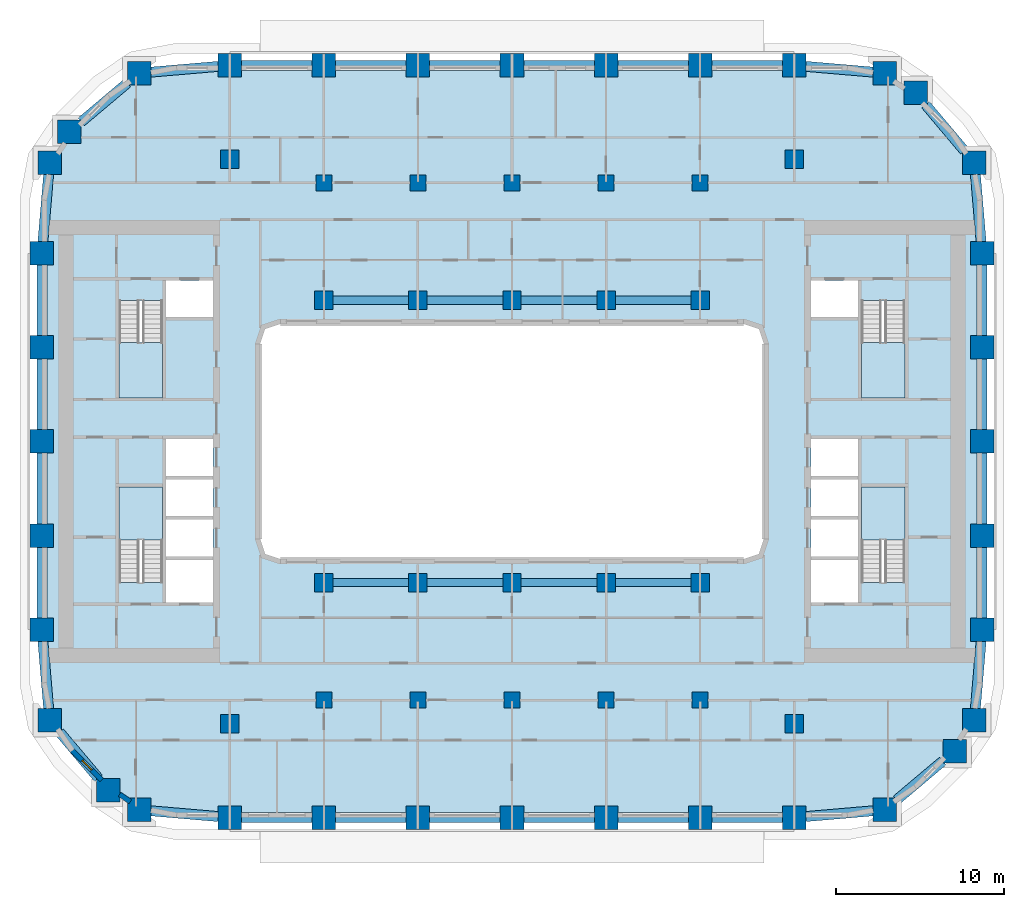
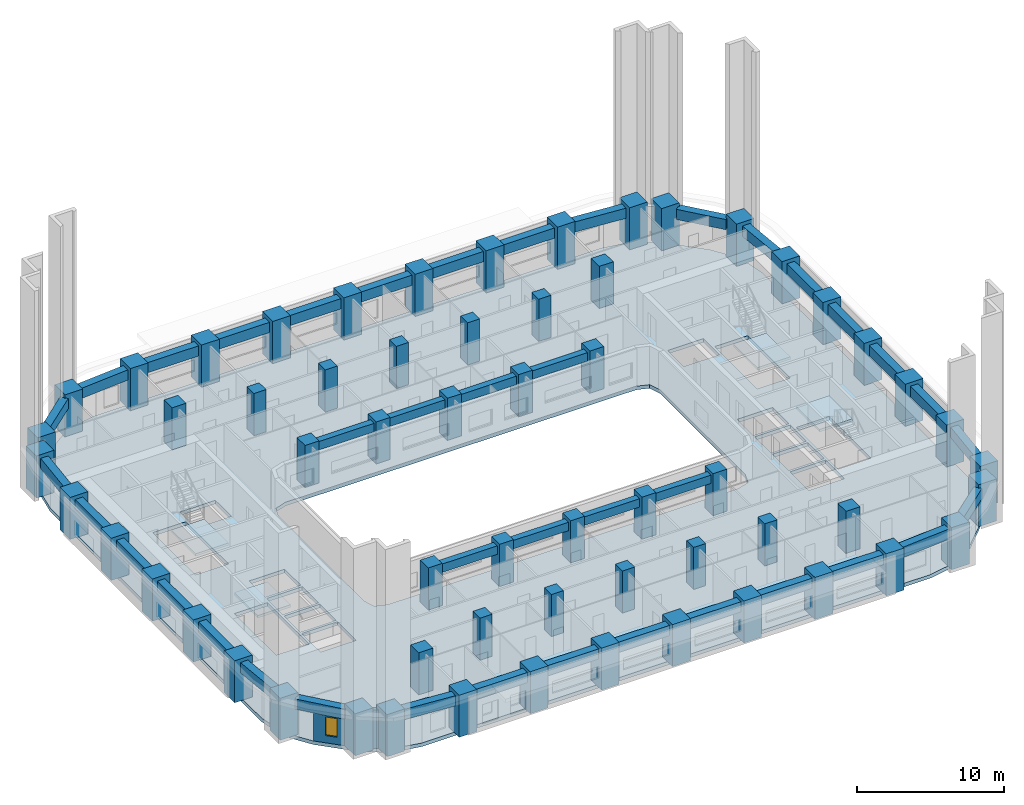
# One storey, part 1 of 22: 60 columns, 40 beams, 5 slabs, 2 walls, 1 window, 1 opening, 4 elements without a shape of their own.
"""IFC4 building model written with IfcOpenShell, lengths in metres."""

from ifc_helpers import new_model, si_unit, direction, frame, frame_2d, origin, origin_2d, place, context, subcontext, project, spatial, polyline, rectangle, outline, extrude, material, layer, layer_set, material_profile, profile_set, type_object, element, fill, aggregate, save


model = new_model("IFC4")

# Units and contexts
model_context = context("Model", 3, precision=1e-05, world=origin(), true_north=direction((0.0, 1.0)))
body_context = subcontext(model_context, "Body", "Model", "MODEL_VIEW")
ifc_project = project(units=[si_unit("LENGTHUNIT", "METRE"), si_unit("AREAUNIT", "SQUARE_METRE"), si_unit("VOLUMEUNIT", "CUBIC_METRE"), si_unit("PLANEANGLEUNIT", "RADIAN"), si_unit("MASSUNIT", "GRAM", prefix="KILO")], contexts=[model_context])

# Site, building, storey
site_placement = place(None, origin())
site = spatial("IfcSite", under=ifc_project, at=site_placement, CompositionType="ELEMENT")
building_placement = place(site_placement, origin())
building = spatial("IfcBuilding", under=site, at=building_placement, Name="Kiln Ring Residences", CompositionType="ELEMENT")
storey_placement = place(building_placement, frame((0.0, 0.0, 55.0)))
storey = spatial("IfcBuildingStorey", under=building, at=storey_placement, Name="L13", CompositionType="ELEMENT", Elevation=55.0)

# Columns
ifc_material_1 = material(Name="Concrete C80/95", Category="concrete")
ifc_material_profile_1 = material_profile(ifc_material_1, rectangle(XDim=0.949951171875, YDim=0.949951171875, at=origin_2d()), Name="RC950x950")
ifc_profile_set_1 = profile_set([ifc_material_profile_1], Name="Concrete C80/95")
column_type_1 = type_object("IfcColumnType", Name="Corridor column RC950x950 C80/95", PredefinedType="COLUMN", material=ifc_profile_set_1)
for number, where, z_axis, x_axis, name in (
    (1, (-11.199951171875, 15.39990234375, 0.0), (0.0, 0.0, 1.0), (1.0, 0.0, 0.0), "Corridor column L13 1"),
    (2, (-5.60009765625, 15.39990234375, 0.0), (0.0, 0.0, 1.0), (1.0, 0.0, 0.0), "Corridor column L13 2"),
    (3, (0.0, 15.39990234375, 0.0), (0.0, 0.0, 1.0), (1.0, 0.0, 0.0), "Corridor column L13 3"),
    (4, (5.60009765625, 15.39990234375, 0.0), (0.0, 0.0, 1.0), (1.0, 0.0, 0.0), "Corridor column L13 4"),
    (5, (11.199951171875, 15.39990234375, 0.0), (0.0, 0.0, 1.0), (1.0, 0.0, 0.0), "Corridor column L13 5"),
    (6, (-11.199951171875, -15.39990234375, 0.0), (0.0, 0.0, 1.0), (1.0, 0.0, 0.0), "Corridor column L13 6"),
    (7, (-5.60009765625, -15.39990234375, 0.0), (0.0, 0.0, 1.0), (1.0, 0.0, 0.0), "Corridor column L13 7"),
    (8, (0.0, -15.39990234375, 0.0), (0.0, 0.0, 1.0), (1.0, 0.0, 0.0), "Corridor column L13 8"),
    (9, (5.60009765625, -15.39990234375, 0.0), (0.0, 0.0, 1.0), (1.0, 0.0, 0.0), "Corridor column L13 9"),
    (10, (11.199951171875, -15.39990234375, 0.0), (0.0, 0.0, 1.0), (1.0, 0.0, 0.0), "Corridor column L13 10"),
):
    element("IfcColumn", number, at=place(storey_placement, frame(where, z_axis=z_axis, x_axis=x_axis)), inside=storey, type_object=column_type_1, Name=name, PredefinedType="COLUMN", context=body_context, shape_type="SweptSolid", body=[
        extrude(rectangle(XDim=0.949951171875, YDim=0.949951171875, at=origin_2d()), origin(), (0.0, 0.0, 1.0), 3.5),
    ])
ifc_material_2 = material(Name="Concrete C80/95", Category="concrete")
ifc_material_profile_2 = material_profile(ifc_material_2, rectangle(XDim=1.39990234375, YDim=1.39990234375, at=origin_2d()), Name="RC1400x1400")
ifc_profile_set_2 = profile_set([ifc_material_profile_2], Name="Concrete C80/95")
column_type_2 = type_object("IfcColumnType", Name="Perimeter column RC1400x1400 C80/95", PredefinedType="COLUMN", material=ifc_profile_set_2)
for number, where, z_axis, x_axis, name in (
    (11, (-22.208740234375, -21.93798828125, 0.0), (0.0, 0.0, 1.0), (1.0, 0.0, 0.0), "Perimeter column L13 1"),
    (12, (-16.800048828125, -22.39990234375, 0.0), (0.0, 0.0, 1.0), (1.0, 0.0, 0.0), "Perimeter column L13 2"),
    (13, (-11.199951171875, -22.39990234375, 0.0), (0.0, 0.0, 1.0), (1.0, 0.0, 0.0), "Perimeter column L13 3"),
    (14, (-5.60009765625, -22.39990234375, 0.0), (0.0, 0.0, 1.0), (1.0, 0.0, 0.0), "Perimeter column L13 4"),
    (15, (0.0, -22.39990234375, 0.0), (0.0, 0.0, 1.0), (1.0, 0.0, 0.0), "Perimeter column L13 5"),
    (16, (5.60009765625, -22.39990234375, 0.0), (0.0, 0.0, 1.0), (1.0, 0.0, 0.0), "Perimeter column L13 6"),
    (17, (11.199951171875, -22.39990234375, 0.0), (0.0, 0.0, 1.0), (1.0, 0.0, 0.0), "Perimeter column L13 7"),
    (18, (16.800048828125, -22.39990234375, 0.0), (0.0, 0.0, 1.0), (1.0, 0.0, 0.0), "Perimeter column L13 8"),
    (19, (22.208740234375, -21.93798828125, 0.0), (0.0, 0.0, 1.0), (1.0, 0.0, 0.0), "Perimeter column L13 9"),
    (20, (26.35986328125, -18.440185546875, 0.0), (0.0, 0.0, 1.0), (1.0, 0.0, 0.0), "Perimeter column L13 10"),
    (21, (27.5380859375, -16.608642578125, 0.0), (0.0, 0.0, 1.0), (1.0, 0.0, 0.0), "Perimeter column L13 11"),
    (22, (28.0, -11.199951171875, 0.0), (0.0, 0.0, 1.0), (1.0, 0.0, 0.0), "Perimeter column L13 12"),
    (23, (28.0, -5.60009765625, 0.0), (0.0, 0.0, 1.0), (1.0, 0.0, 0.0), "Perimeter column L13 13"),
    (24, (28.0, 0.0, 0.0), (0.0, 0.0, 1.0), (1.0, 0.0, 0.0), "Perimeter column L13 14"),
    (25, (28.0, 5.60009765625, 0.0), (0.0, 0.0, 1.0), (1.0, 0.0, 0.0), "Perimeter column L13 15"),
    (26, (28.0, 11.199951171875, 0.0), (0.0, 0.0, 1.0), (1.0, 0.0, 0.0), "Perimeter column L13 16"),
    (27, (27.5380859375, 16.608642578125, 0.0), (0.0, 0.0, 1.0), (1.0, 0.0, 0.0), "Perimeter column L13 17"),
    (28, (24.040283203125, 20.759765625, 0.0), (0.0, 0.0, 1.0), (1.0, 0.0, 0.0), "Perimeter column L13 18"),
    (29, (22.208740234375, 21.93798828125, 0.0), (0.0, 0.0, 1.0), (1.0, 0.0, 0.0), "Perimeter column L13 19"),
    (30, (16.800048828125, 22.39990234375, 0.0), (0.0, 0.0, 1.0), (1.0, 0.0, 0.0), "Perimeter column L13 20"),
    (31, (11.199951171875, 22.39990234375, 0.0), (0.0, 0.0, 1.0), (1.0, 0.0, 0.0), "Perimeter column L13 21"),
    (32, (5.60009765625, 22.39990234375, 0.0), (0.0, 0.0, 1.0), (1.0, 0.0, 0.0), "Perimeter column L13 22"),
    (33, (0.0, 22.39990234375, 0.0), (0.0, 0.0, 1.0), (1.0, 0.0, 0.0), "Perimeter column L13 23"),
    (34, (-5.60009765625, 22.39990234375, 0.0), (0.0, 0.0, 1.0), (1.0, 0.0, 0.0), "Perimeter column L13 24"),
    (35, (-11.199951171875, 22.39990234375, 0.0), (0.0, 0.0, 1.0), (1.0, 0.0, 0.0), "Perimeter column L13 25"),
    (36, (-16.800048828125, 22.39990234375, 0.0), (0.0, 0.0, 1.0), (1.0, 0.0, 0.0), "Perimeter column L13 26"),
    (37, (-22.208740234375, 21.93798828125, 0.0), (0.0, 0.0, 1.0), (1.0, 0.0, 0.0), "Perimeter column L13 27"),
    (38, (-26.35986328125, 18.440185546875, 0.0), (0.0, 0.0, 1.0), (1.0, 0.0, 0.0), "Perimeter column L13 28"),
    (39, (-27.5380859375, 16.608642578125, 0.0), (0.0, 0.0, 1.0), (1.0, 0.0, 0.0), "Perimeter column L13 29"),
    (40, (-28.0, 11.199951171875, 0.0), (0.0, 0.0, 1.0), (1.0, 0.0, 0.0), "Perimeter column L13 30"),
    (41, (-28.0, 5.60009765625, 0.0), (0.0, 0.0, 1.0), (1.0, 0.0, 0.0), "Perimeter column L13 31"),
    (42, (-28.0, 0.0, 0.0), (0.0, 0.0, 1.0), (1.0, 0.0, 0.0), "Perimeter column L13 32"),
    (43, (-28.0, -5.60009765625, 0.0), (0.0, 0.0, 1.0), (1.0, 0.0, 0.0), "Perimeter column L13 33"),
    (44, (-28.0, -11.199951171875, 0.0), (0.0, 0.0, 1.0), (1.0, 0.0, 0.0), "Perimeter column L13 34"),
    (45, (-27.5380859375, -16.608642578125, 0.0), (0.0, 0.0, 1.0), (1.0, 0.0, 0.0), "Perimeter column L13 35"),
    (46, (-24.040283203125, -20.759765625, 0.0), (0.0, 0.0, 1.0), (1.0, 0.0, 0.0), "Perimeter column L13 36"),
):
    element("IfcColumn", number, at=place(storey_placement, frame(where, z_axis=z_axis, x_axis=x_axis)), inside=storey, type_object=column_type_2, Name=name, PredefinedType="COLUMN", context=body_context, shape_type="SweptSolid", body=[
        extrude(rectangle(XDim=1.39990234375, YDim=1.39990234375, at=origin_2d()), origin(), (0.0, 0.0, 1.0), 3.5),
    ])
ifc_material_3 = material(Name="Concrete C80/95", Category="concrete")
ifc_material_profile_3 = material_profile(ifc_material_3, rectangle(XDim=1.10009765625, YDim=1.10009765625, at=origin_2d()), Name="RC1100x1100")
ifc_profile_set_3 = profile_set([ifc_material_profile_3], Name="Concrete C80/95")
column_type_3 = type_object("IfcColumnType", Name="Ring column RC1100x1100 C80/95", PredefinedType="COLUMN", material=ifc_profile_set_3)
for number, where, z_axis, x_axis, name in (
    (47, (-16.800048828125, -16.800048828125, 0.0), (0.0, 0.0, 1.0), (1.0, 0.0, 0.0), "Ring column L13 1"),
    (48, (-16.800048828125, 16.800048828125, 0.0), (0.0, 0.0, 1.0), (1.0, 0.0, 0.0), "Ring column L13 2"),
    (49, (-11.199951171875, -8.39990234375, 0.0), (0.0, 0.0, 1.0), (1.0, 0.0, 0.0), "Ring column L13 3"),
    (50, (-11.199951171875, 8.39990234375, 0.0), (0.0, 0.0, 1.0), (1.0, 0.0, 0.0), "Ring column L13 4"),
    (51, (-5.60009765625, -8.39990234375, 0.0), (0.0, 0.0, 1.0), (1.0, 0.0, 0.0), "Ring column L13 5"),
    (52, (-5.60009765625, 8.39990234375, 0.0), (0.0, 0.0, 1.0), (1.0, 0.0, 0.0), "Ring column L13 6"),
    (53, (0.0, -8.39990234375, 0.0), (0.0, 0.0, 1.0), (1.0, 0.0, 0.0), "Ring column L13 7"),
    (54, (0.0, 8.39990234375, 0.0), (0.0, 0.0, 1.0), (1.0, 0.0, 0.0), "Ring column L13 8"),
    (55, (5.60009765625, -8.39990234375, 0.0), (0.0, 0.0, 1.0), (1.0, 0.0, 0.0), "Ring column L13 9"),
    (56, (5.60009765625, 8.39990234375, 0.0), (0.0, 0.0, 1.0), (1.0, 0.0, 0.0), "Ring column L13 10"),
    (57, (11.199951171875, -8.39990234375, 0.0), (0.0, 0.0, 1.0), (1.0, 0.0, 0.0), "Ring column L13 11"),
    (58, (11.199951171875, 8.39990234375, 0.0), (0.0, 0.0, 1.0), (1.0, 0.0, 0.0), "Ring column L13 12"),
    (59, (16.800048828125, -16.800048828125, 0.0), (0.0, 0.0, 1.0), (1.0, 0.0, 0.0), "Ring column L13 13"),
    (60, (16.800048828125, 16.800048828125, 0.0), (0.0, 0.0, 1.0), (1.0, 0.0, 0.0), "Ring column L13 14"),
):
    element("IfcColumn", number, at=place(storey_placement, frame(where, z_axis=z_axis, x_axis=x_axis)), inside=storey, type_object=column_type_3, Name=name, PredefinedType="COLUMN", context=body_context, shape_type="SweptSolid", body=[
        extrude(rectangle(XDim=1.10009765625, YDim=1.10009765625, at=origin_2d()), origin(), (0.0, 0.0, 1.0), 3.5),
    ])

# Beams
ifc_material_4 = material(Name="Concrete C50/60", Category="concrete")
ifc_material_profile_4 = material_profile(ifc_material_4, rectangle(XDim=0.5, YDim=0.699951171875, at=origin_2d()), Name="RC500x700")
ifc_profile_set_4 = profile_set([ifc_material_profile_4], Name="Concrete C50/60")
beam_type_1 = type_object("IfcBeamType", Name="Ring beam RC500x700 C50/60", PredefinedType="BEAM", material=ifc_profile_set_4)
for number, where, z_axis, x_axis, name in (
    (61, (-10.64990234375, -8.39990234375, 2.85009765625), (1.0, 0.0, 0.0), (0.0, 1.0, 0.0), "Ring beam L13 1"),
    (62, (-5.050048828125, -8.39990234375, 2.85009765625), (1.0, 0.0, 0.0), (0.0, 1.0, 0.0), "Ring beam L13 2"),
    (63, (0.550048828125, -8.39990234375, 2.85009765625), (1.0, 0.0, 0.0), (0.0, 1.0, 0.0), "Ring beam L13 3"),
    (64, (6.14990234375, -8.39990234375, 2.85009765625), (1.0, 0.0, 0.0), (0.0, 1.0, 0.0), "Ring beam L13 4"),
    (65, (-10.64990234375, 8.39990234375, 2.85009765625), (1.0, 0.0, 0.0), (0.0, 1.0, 0.0), "Ring beam L13 5"),
    (66, (-5.050048828125, 8.39990234375, 2.85009765625), (1.0, 0.0, 0.0), (0.0, 1.0, 0.0), "Ring beam L13 6"),
    (67, (0.550048828125, 8.39990234375, 2.85009765625), (1.0, 0.0, 0.0), (0.0, 1.0, 0.0), "Ring beam L13 7"),
    (68, (6.14990234375, 8.39990234375, 2.85009765625), (1.0, 0.0, 0.0), (0.0, 1.0, 0.0), "Ring beam L13 8"),
):
    element("IfcBeam", number, at=place(storey_placement, frame(where, z_axis=z_axis, x_axis=x_axis)), inside=storey, type_object=beam_type_1, Name=name, PredefinedType="BEAM", context=body_context, shape_type="SweptSolid", body=[
        extrude(rectangle(XDim=0.5, YDim=0.699951171875, at=origin_2d()), origin(), (0.0, 0.0, 1.0), 4.5),
    ])
ifc_material_5 = material(Name="Concrete C50/60", Category="concrete")
ifc_material_profile_5 = material_profile(ifc_material_5, rectangle(XDim=0.60009765625, YDim=0.85009765625, at=origin_2d()), Name="RC600x850")
ifc_profile_set_5 = profile_set([ifc_material_profile_5], Name="Concrete C50/60")
beam_type_2 = type_object("IfcBeamType", Name="Spandrel beam RC600x850 C50/60", PredefinedType="SPANDREL", material=ifc_profile_set_5)
beam_1_placement = place(storey_placement, frame((-21.5087890625, -21.997802734375, 2.77490234375), z_axis=(0.996369479058, -0.085134371444, 0.0), x_axis=(0.085134371444, 0.996369479058, 0.0)))
element("IfcBeam", 69, at=beam_1_placement, inside=storey, type_object=beam_type_2, Name="Spandrel beam L13 1", PredefinedType="SPANDREL", context=body_context, shape_type="SweptSolid", body=[
    extrude(rectangle(XDim=0.60009765625, YDim=0.85009765625, at=origin_2d()), origin(), (0.0, 0.0, 1.0), 4.0234375),
])
beam_2_placement = place(storey_placement, frame((-16.10009765625, -22.39990234375, 2.77490234375), z_axis=(1.0, 0.0, 0.0), x_axis=(0.0, 1.0, 0.0)))
element("IfcBeam", 70, at=beam_2_placement, inside=storey, type_object=beam_type_2, Name="Spandrel beam L13 2", PredefinedType="SPANDREL", context=body_context, shape_type="SweptSolid", body=[
    extrude(rectangle(XDim=0.60009765625, YDim=0.85009765625, at=origin_2d()), origin(), (0.0, 0.0, 1.0), 4.2001953125),
])
for number, where, z_axis, x_axis, name in (
    (71, (-10.5, -22.39990234375, 2.77490234375), (1.0, 0.0, 0.0), (0.0, 1.0, 0.0), "Spandrel beam L13 3"),
    (72, (-4.89990234375, -22.39990234375, 2.77490234375), (1.0, 0.0, 0.0), (0.0, 1.0, 0.0), "Spandrel beam L13 4"),
    (73, (0.699951171875, -22.39990234375, 2.77490234375), (1.0, 0.0, 0.0), (0.0, 1.0, 0.0), "Spandrel beam L13 5"),
    (74, (6.300048828125, -22.39990234375, 2.77490234375), (1.0, 0.0, 0.0), (0.0, 1.0, 0.0), "Spandrel beam L13 6"),
):
    element("IfcBeam", number, at=place(storey_placement, frame(where, z_axis=z_axis, x_axis=x_axis)), inside=storey, type_object=beam_type_2, Name=name, PredefinedType="SPANDREL", context=body_context, shape_type="SweptSolid", body=[
        extrude(rectangle(XDim=0.60009765625, YDim=0.85009765625, at=origin_2d()), origin(), (0.0, 0.0, 1.0), 4.199951171875),
    ])
beam_3_placement = place(storey_placement, frame((11.89990234375, -22.39990234375, 2.77490234375), z_axis=(1.0, 0.0, 0.0), x_axis=(0.0, 1.0, 0.0)))
element("IfcBeam", 75, at=beam_3_placement, inside=storey, type_object=beam_type_2, Name="Spandrel beam L13 7", PredefinedType="SPANDREL", context=body_context, shape_type="SweptSolid", body=[
    extrude(rectangle(XDim=0.60009765625, YDim=0.85009765625, at=origin_2d()), origin(), (0.0, 0.0, 1.0), 4.2001953125),
])
beam_4_placement = place(storey_placement, frame((17.5, -22.34033203125, 2.77490234375), z_axis=(0.996369479058, 0.085134371444, 0.0), x_axis=(-0.085134371444, 0.996369479058, 0.0)))
element("IfcBeam", 76, at=beam_4_placement, inside=storey, type_object=beam_type_2, Name="Spandrel beam L13 8", PredefinedType="SPANDREL", context=body_context, shape_type="SweptSolid", body=[
    extrude(rectangle(XDim=0.60009765625, YDim=0.85009765625, at=origin_2d()), origin(), (0.0, 0.0, 1.0), 4.0234375),
])
beam_5_placement = place(storey_placement, frame((22.90869140625, -21.34814453125, 2.77490234375), z_axis=(0.764733430751, 0.644346785428, 0.0), x_axis=(-0.644346785428, 0.764733430751, 0.0)))
element("IfcBeam", 77, at=beam_5_placement, inside=storey, type_object=beam_type_2, Name="Spandrel beam L13 9", PredefinedType="SPANDREL", context=body_context, shape_type="SweptSolid", body=[
    extrude(rectangle(XDim=0.60009765625, YDim=0.85009765625, at=origin_2d()), origin(), (0.0, 0.0, 1.0), 3.59765625),
])
beam_6_placement = place(storey_placement, frame((27.597900390625, -15.90869140625, 2.77490234375), z_axis=(0.085074130543, 0.996374624482, 0.0), x_axis=(-0.996374624482, 0.085074130543, 0.0)))
element("IfcBeam", 78, at=beam_6_placement, inside=storey, type_object=beam_type_2, Name="Spandrel beam L13 10", PredefinedType="SPANDREL", context=body_context, shape_type="SweptSolid", body=[
    extrude(rectangle(XDim=0.60009765625, YDim=0.85009765625, at=origin_2d()), origin(), (0.0, 0.0, 1.0), 4.0234375),
])
for number, where, z_axis, x_axis, name in (
    (79, (28.0, -10.5, 2.77490234375), (0.0, 1.0, 0.0), (-1.0, 0.0, 0.0), "Spandrel beam L13 11"),
    (80, (28.0, -4.89990234375, 2.77490234375), (0.0, 1.0, 0.0), (-1.0, 0.0, 0.0), "Spandrel beam L13 12"),
    (81, (28.0, 0.699951171875, 2.77490234375), (0.0, 1.0, 0.0), (-1.0, 0.0, 0.0), "Spandrel beam L13 13"),
    (82, (28.0, 6.300048828125, 2.77490234375), (0.0, 1.0, 0.0), (-1.0, 0.0, 0.0), "Spandrel beam L13 14"),
):
    element("IfcBeam", number, at=place(storey_placement, frame(where, z_axis=z_axis, x_axis=x_axis)), inside=storey, type_object=beam_type_2, Name=name, PredefinedType="SPANDREL", context=body_context, shape_type="SweptSolid", body=[
        extrude(rectangle(XDim=0.60009765625, YDim=0.85009765625, at=origin_2d()), origin(), (0.0, 0.0, 1.0), 4.199951171875),
    ])
beam_7_placement = place(storey_placement, frame((27.940185546875, 11.89990234375, 2.77490234375), z_axis=(-0.085074130543, 0.996374624482, 0.0), x_axis=(-0.996374624482, -0.085074130543, 0.0)))
element("IfcBeam", 83, at=beam_7_placement, inside=storey, type_object=beam_type_2, Name="Spandrel beam L13 15", PredefinedType="SPANDREL", context=body_context, shape_type="SweptSolid", body=[
    extrude(rectangle(XDim=0.60009765625, YDim=0.85009765625, at=origin_2d()), origin(), (0.0, 0.0, 1.0), 4.0234375),
])
beam_8_placement = place(storey_placement, frame((26.9482421875, 17.30859375, 2.77490234375), z_axis=(-0.644346785428, 0.764733430751, 0.0), x_axis=(-0.764733430751, -0.644346785428, 0.0)))
element("IfcBeam", 84, at=beam_8_placement, inside=storey, type_object=beam_type_2, Name="Spandrel beam L13 16", PredefinedType="SPANDREL", context=body_context, shape_type="SweptSolid", body=[
    extrude(rectangle(XDim=0.60009765625, YDim=0.85009765625, at=origin_2d()), origin(), (0.0, 0.0, 1.0), 3.59765625),
])
beam_9_placement = place(storey_placement, frame((21.5087890625, 21.997802734375, 2.77490234375), z_axis=(-0.996369479058, 0.085134371444, 0.0), x_axis=(-0.085134371444, -0.996369479058, 0.0)))
element("IfcBeam", 85, at=beam_9_placement, inside=storey, type_object=beam_type_2, Name="Spandrel beam L13 17", PredefinedType="SPANDREL", context=body_context, shape_type="SweptSolid", body=[
    extrude(rectangle(XDim=0.60009765625, YDim=0.85009765625, at=origin_2d()), origin(), (0.0, 0.0, 1.0), 4.0234375),
])
beam_10_placement = place(storey_placement, frame((16.10009765625, 22.39990234375, 2.77490234375), z_axis=(-1.0, 0.0, 0.0), x_axis=(0.0, -1.0, 0.0)))
element("IfcBeam", 86, at=beam_10_placement, inside=storey, type_object=beam_type_2, Name="Spandrel beam L13 18", PredefinedType="SPANDREL", context=body_context, shape_type="SweptSolid", body=[
    extrude(rectangle(XDim=0.60009765625, YDim=0.85009765625, at=origin_2d()), origin(), (0.0, 0.0, 1.0), 4.2001953125),
])
for number, where, z_axis, x_axis, name in (
    (87, (10.5, 22.39990234375, 2.77490234375), (-1.0, 0.0, 0.0), (0.0, -1.0, 0.0), "Spandrel beam L13 19"),
    (88, (4.89990234375, 22.39990234375, 2.77490234375), (-1.0, 0.0, 0.0), (0.0, -1.0, 0.0), "Spandrel beam L13 20"),
    (89, (-0.699951171875, 22.39990234375, 2.77490234375), (-1.0, 0.0, 0.0), (0.0, -1.0, 0.0), "Spandrel beam L13 21"),
    (90, (-6.300048828125, 22.39990234375, 2.77490234375), (-1.0, 0.0, 0.0), (0.0, -1.0, 0.0), "Spandrel beam L13 22"),
):
    element("IfcBeam", number, at=place(storey_placement, frame(where, z_axis=z_axis, x_axis=x_axis)), inside=storey, type_object=beam_type_2, Name=name, PredefinedType="SPANDREL", context=body_context, shape_type="SweptSolid", body=[
        extrude(rectangle(XDim=0.60009765625, YDim=0.85009765625, at=origin_2d()), origin(), (0.0, 0.0, 1.0), 4.199951171875),
    ])
beam_11_placement = place(storey_placement, frame((-11.89990234375, 22.39990234375, 2.77490234375), z_axis=(-1.0, 0.0, 0.0), x_axis=(0.0, -1.0, 0.0)))
element("IfcBeam", 91, at=beam_11_placement, inside=storey, type_object=beam_type_2, Name="Spandrel beam L13 23", PredefinedType="SPANDREL", context=body_context, shape_type="SweptSolid", body=[
    extrude(rectangle(XDim=0.60009765625, YDim=0.85009765625, at=origin_2d()), origin(), (0.0, 0.0, 1.0), 4.2001953125),
])
beam_12_placement = place(storey_placement, frame((-17.5, 22.34033203125, 2.77490234375), z_axis=(-0.996369479058, -0.085134371444, 0.0), x_axis=(0.085134371444, -0.996369479058, 0.0)))
element("IfcBeam", 92, at=beam_12_placement, inside=storey, type_object=beam_type_2, Name="Spandrel beam L13 24", PredefinedType="SPANDREL", context=body_context, shape_type="SweptSolid", body=[
    extrude(rectangle(XDim=0.60009765625, YDim=0.85009765625, at=origin_2d()), origin(), (0.0, 0.0, 1.0), 4.0234375),
])
beam_13_placement = place(storey_placement, frame((-22.90869140625, 21.34814453125, 2.77490234375), z_axis=(-0.764733430751, -0.644346785428, 0.0), x_axis=(0.644346785428, -0.764733430751, 0.0)))
element("IfcBeam", 93, at=beam_13_placement, inside=storey, type_object=beam_type_2, Name="Spandrel beam L13 25", PredefinedType="SPANDREL", context=body_context, shape_type="SweptSolid", body=[
    extrude(rectangle(XDim=0.60009765625, YDim=0.85009765625, at=origin_2d()), origin(), (0.0, 0.0, 1.0), 3.59765625),
])
beam_14_placement = place(storey_placement, frame((-27.597900390625, 15.90869140625, 2.77490234375), z_axis=(-0.085074130543, -0.996374624482, 0.0), x_axis=(0.996374624482, -0.085074130543, 0.0)))
element("IfcBeam", 94, at=beam_14_placement, inside=storey, type_object=beam_type_2, Name="Spandrel beam L13 26", PredefinedType="SPANDREL", context=body_context, shape_type="SweptSolid", body=[
    extrude(rectangle(XDim=0.60009765625, YDim=0.85009765625, at=origin_2d()), origin(), (0.0, 0.0, 1.0), 4.0234375),
])
for number, where, z_axis, x_axis, name in (
    (95, (-28.0, 10.5, 2.77490234375), (0.0, -1.0, 0.0), (1.0, 0.0, 0.0), "Spandrel beam L13 27"),
    (96, (-28.0, 4.89990234375, 2.77490234375), (0.0, -1.0, 0.0), (1.0, 0.0, 0.0), "Spandrel beam L13 28"),
    (97, (-28.0, -0.699951171875, 2.77490234375), (0.0, -1.0, 0.0), (1.0, 0.0, 0.0), "Spandrel beam L13 29"),
    (98, (-28.0, -6.300048828125, 2.77490234375), (0.0, -1.0, 0.0), (1.0, 0.0, 0.0), "Spandrel beam L13 30"),
):
    element("IfcBeam", number, at=place(storey_placement, frame(where, z_axis=z_axis, x_axis=x_axis)), inside=storey, type_object=beam_type_2, Name=name, PredefinedType="SPANDREL", context=body_context, shape_type="SweptSolid", body=[
        extrude(rectangle(XDim=0.60009765625, YDim=0.85009765625, at=origin_2d()), origin(), (0.0, 0.0, 1.0), 4.199951171875),
    ])
beam_15_placement = place(storey_placement, frame((-27.940185546875, -11.89990234375, 2.77490234375), z_axis=(0.085074130543, -0.996374624482, 0.0), x_axis=(0.996374624482, 0.085074130543, 0.0)))
element("IfcBeam", 99, at=beam_15_placement, inside=storey, type_object=beam_type_2, Name="Spandrel beam L13 31", PredefinedType="SPANDREL", context=body_context, shape_type="SweptSolid", body=[
    extrude(rectangle(XDim=0.60009765625, YDim=0.85009765625, at=origin_2d()), origin(), (0.0, 0.0, 1.0), 4.0234375),
])
beam_16_placement = place(storey_placement, frame((-26.9482421875, -17.30859375, 2.77490234375), z_axis=(0.644346785428, -0.764733430751, 0.0), x_axis=(0.764733430751, 0.644346785428, 0.0)))
element("IfcBeam", 100, at=beam_16_placement, inside=storey, type_object=beam_type_2, Name="Spandrel beam L13 32", PredefinedType="SPANDREL", context=body_context, shape_type="SweptSolid", body=[
    extrude(rectangle(XDim=0.60009765625, YDim=0.85009765625, at=origin_2d()), origin(), (0.0, 0.0, 1.0), 3.59765625),
])

# Stair, slab
ifc_material_6 = material(Name="Concrete C40/50", Category="concrete")
stair_type = type_object("IfcStairType", Name="CORE-STAIR", PredefinedType="HALF_TURN_STAIR", material=ifc_material_6)
placement_1 = place(storey_placement, origin())
stair_1 = element("IfcStair", 101, at=placement_1, inside=storey, type_object=stair_type, Name="L13 stair W-STN", PredefinedType="HALF_TURN_STAIR")
ifc_material_7 = material(Name="Concrete C40/50", Category="concrete")
ifc_layer_1 = layer(ifc_material_7, 0.199951171875)
ifc_layer_set_1 = layer_set([ifc_layer_1], Name="CORE-STAIR-LANDING")
slab_type_1 = type_object("IfcSlabType", Name="CORE-STAIR-LANDING", PredefinedType="LANDING", material=ifc_layer_set_1)
placement_2 = place(storey_placement, frame((0.0, 0.0, 1.550048828125)))
slab_1 = element("IfcSlab", 102, at=placement_2, type_object=slab_type_1, Name="W-STN landing 1", PredefinedType="LANDING", context=body_context, shape_type="SweptSolid", body=[
    extrude(outline(polyline([(-23.39990234375, 5.8798828125), (-23.39990234375, 2.60009765625), (-20.800048828125, 2.60009765625), (-20.800048828125, 5.8798828125), (-23.39990234375, 5.8798828125)])), origin(), (0.0, 0.0, 1.0), 0.199951171875),
])
aggregate(stair_1, [slab_1])

stair_2 = element("IfcStair", 103, at=placement_1, inside=storey, type_object=stair_type, Name="L13 stair W-STS", PredefinedType="HALF_TURN_STAIR")
slab_2 = element("IfcSlab", 104, at=placement_2, type_object=slab_type_1, Name="W-STS landing 1", PredefinedType="LANDING", context=body_context, shape_type="SweptSolid", body=[
    extrude(outline(polyline([(-20.800048828125, -5.8798828125), (-20.800048828125, -2.699951171875), (-23.39990234375, -2.699951171875), (-23.39990234375, -5.8798828125), (-20.800048828125, -5.8798828125)])), origin(), (0.0, 0.0, 1.0), 0.199951171875),
])
aggregate(stair_2, [slab_2])

stair_3 = element("IfcStair", 105, at=placement_1, inside=storey, type_object=stair_type, Name="L13 stair E-STN", PredefinedType="HALF_TURN_STAIR")
slab_3 = element("IfcSlab", 106, at=placement_2, type_object=slab_type_1, Name="E-STN landing 1", PredefinedType="LANDING", context=body_context, shape_type="SweptSolid", body=[
    extrude(outline(polyline([(20.800048828125, 5.8798828125), (20.800048828125, 2.60009765625), (23.39990234375, 2.60009765625), (23.39990234375, 5.8798828125), (20.800048828125, 5.8798828125)])), origin(), (0.0, 0.0, 1.0), 0.199951171875),
])
aggregate(stair_3, [slab_3])

stair_4 = element("IfcStair", 107, at=placement_1, inside=storey, type_object=stair_type, Name="L13 stair E-STS", PredefinedType="HALF_TURN_STAIR")
slab_4 = element("IfcSlab", 108, at=placement_2, type_object=slab_type_1, Name="E-STS landing 1", PredefinedType="LANDING", context=body_context, shape_type="SweptSolid", body=[
    extrude(outline(polyline([(23.39990234375, -5.8798828125), (23.39990234375, -2.699951171875), (20.800048828125, -2.699951171875), (20.800048828125, -5.8798828125), (23.39990234375, -5.8798828125)])), origin(), (0.0, 0.0, 1.0), 0.199951171875),
])
aggregate(stair_4, [slab_4])

# Slab
ifc_material_8 = material(Name="Concrete C40/50", Category="concrete")
ifc_layer_2 = layer(ifc_material_8, 0.300048828125)
ifc_layer_set_2 = layer_set([ifc_layer_2], Name="Floor slab 300")
slab_type_2 = type_object("IfcSlabType", Name="Floor slab 300", PredefinedType="FLOOR", material=ifc_layer_set_2)
slab_5_placement = place(storey_placement, frame((0.0, 0.0, -0.300048828125)))
element("IfcSlab", 109, at=slab_5_placement, inside=storey, type_object=slab_type_2, Name="Floor slab L13 1", PredefinedType="FLOOR", context=body_context, shape_type="SweptSolid", body=[
    extrude(outline(polyline([(-26.302978515625, -18.4970703125), (-24.09716796875, -20.702880859375), (-22.224365234375, -21.975830078125), (-20.0, -22.39990234375), (20.0, -22.39990234375), (22.224365234375, -21.975830078125), (24.09716796875, -20.702880859375), (26.302978515625, -18.4970703125), (27.57568359375, -16.624267578125), (28.0, -14.39990234375), (28.0, 14.39990234375), (27.57568359375, 16.624267578125), (26.302978515625, 18.4970703125), (24.09716796875, 20.702880859375), (22.224365234375, 21.975830078125), (20.0, 22.39990234375), (-20.0, 22.39990234375), (-22.224365234375, 21.975830078125), (-24.09716796875, 20.702880859375), (-26.302978515625, 18.4970703125), (-27.57568359375, 16.624267578125), (-28.0, 14.39990234375), (-28.0, -14.39990234375), (-27.57568359375, -16.624267578125), (-26.302978515625, -18.4970703125)]), holes=[polyline([(-14.699951171875, -6.699951171875), (-15.0, -5.800048828125), (-15.0, 5.800048828125), (-14.699951171875, 6.699951171875), (-13.800048828125, 7.0), (13.800048828125, 7.0), (14.699951171875, 6.699951171875), (15.0, 5.800048828125), (15.0, -5.800048828125), (14.699951171875, -6.699951171875), (13.800048828125, -7.0), (-13.800048828125, -7.0), (-14.699951171875, -6.699951171875)]), polyline([(20.800048828125, -8.39794921875), (20.800048828125, -2.699951171875), (23.39990234375, -2.699951171875), (23.39990234375, -8.39794921875), (20.800048828125, -8.39794921875)]), polyline([(20.800048828125, 2.60009765625), (20.800048828125, 8.39794921875), (23.39990234375, 8.39794921875), (23.39990234375, 2.60009765625), (20.800048828125, 2.60009765625)]), polyline([(17.800048828125, -6.85009765625), (17.800048828125, -4.64990234375), (20.60009765625, -4.64990234375), (20.60009765625, -6.85009765625), (17.800048828125, -6.85009765625)]), polyline([(17.800048828125, -4.449951171875), (17.800048828125, -2.25), (20.60009765625, -2.25), (20.60009765625, -4.449951171875), (17.800048828125, -4.449951171875)]), polyline([(17.800048828125, -2.050048828125), (17.800048828125, 0.14990234375), (20.60009765625, 0.14990234375), (20.60009765625, -2.050048828125), (17.800048828125, -2.050048828125)]), polyline([(17.800048828125, 7.39990234375), (17.800048828125, 9.60009765625), (20.60009765625, 9.60009765625), (20.60009765625, 7.39990234375), (17.800048828125, 7.39990234375)]), polyline([(20.60009765625, -9.60009765625), (17.800048828125, -9.60009765625), (17.800048828125, -7.050048828125), (20.60009765625, -7.050048828125), (20.60009765625, -9.60009765625)]), polyline([(-17.800048828125, -7.050048828125), (-17.800048828125, -9.60009765625), (-20.60009765625, -9.60009765625), (-20.60009765625, -7.050048828125), (-17.800048828125, -7.050048828125)]), polyline([(-17.800048828125, -6.85009765625), (-20.60009765625, -6.85009765625), (-20.60009765625, -4.64990234375), (-17.800048828125, -4.64990234375), (-17.800048828125, -6.85009765625)]), polyline([(-17.800048828125, -4.449951171875), (-20.60009765625, -4.449951171875), (-20.60009765625, -2.25), (-17.800048828125, -2.25), (-17.800048828125, -4.449951171875)]), polyline([(-17.800048828125, -2.050048828125), (-20.60009765625, -2.050048828125), (-20.60009765625, 0.14990234375), (-17.800048828125, 0.14990234375), (-17.800048828125, -2.050048828125)]), polyline([(-17.800048828125, 7.39990234375), (-20.60009765625, 7.39990234375), (-20.60009765625, 9.60009765625), (-17.800048828125, 9.60009765625), (-17.800048828125, 7.39990234375)]), polyline([(-20.800048828125, -8.39794921875), (-23.39990234375, -8.39794921875), (-23.39990234375, -2.699951171875), (-20.800048828125, -2.699951171875), (-20.800048828125, -8.39794921875)]), polyline([(-20.800048828125, 2.60009765625), (-23.39990234375, 2.60009765625), (-23.39990234375, 8.39794921875), (-20.800048828125, 8.39794921875), (-20.800048828125, 2.60009765625)])]), origin(), (0.0, 0.0, 1.0), 0.300048828125),
])

# Wall, opening, window
ifc_material_9 = material(Name="Brick masonry, dark clay brick", Category="masonry")
ifc_layer_3 = layer(ifc_material_9, 0.300048828125)
ifc_layer_set_3 = layer_set([ifc_layer_3], Name="EW-300 BRICK WALL")
wall_type = type_object("IfcWallType", Name="EW-300 BRICK WALL", PredefinedType="SOLIDWALL", material=ifc_layer_set_3)
wall_1_placement = place(storey_placement, frame((-26.19677734375, -18.390869140625, 0.0), z_axis=(0.0, 0.0, 1.0), x_axis=(0.707057949532, -0.707155609469, 0.0)))
wall_1 = element("IfcWall", 110, at=wall_1_placement, inside=storey, type_object=wall_type, Name="Facade wall L13 1", PredefinedType="SOLIDWALL", context=body_context, shape_type="SweptSolid", body=[
    extrude(rectangle(XDim=2.5, YDim=0.300048828125, at=frame_2d((1.25, 0.0))), origin(), (0.0, 0.0, 1.0), 2.35009765625),
])
opening_placement = place(wall_1_placement, frame((0.85009765625, 0.0, 0.60009765625)))
opening = element("IfcOpeningElement", 111, at=opening_placement, cuts=wall_1, Name="Opening W5", PredefinedType="OPENING", context=body_context, shape_type="SweptSolid", body=[
    extrude(rectangle(XDim=0.800048828125, YDim=1.550048828125, at=frame_2d((0.39990234375, 0.77490234375))), frame((0.0, 0.159912109375, 0.0), z_axis=(0.0, -1.0, 0.0), x_axis=(1.0, 0.0, 0.0)), (0.0, 0.0, 1.0), 0.320068359375),
])
ifc_material_10 = material(Name="Aluminium frame with double glazing", Category="aluminium")
window_type = type_object("IfcWindowType", Name="WINDOW 800 x 1550", PartitioningType="SINGLE_PANEL", PredefinedType="WINDOW", material=ifc_material_10)
window_placement = place(opening_placement, origin())
window = element("IfcWindow", 112, at=window_placement, inside=storey, type_object=window_type, Name="Window L13 1", OverallHeight=1.550048828125, OverallWidth=0.800048828125, PartitioningType="SINGLE_PANEL", PredefinedType="WINDOW", context=body_context, shape_type="SweptSolid", body=[
    extrude(rectangle(XDim=0.800048828125, YDim=1.550048828125, at=frame_2d((0.39990234375, 0.77490234375))), frame((0.0, 0.030029296875, 0.0), z_axis=(0.0, -1.0, 0.0), x_axis=(1.0, 0.0, 0.0)), (0.0, 0.0, 1.0), 0.06005859375),
])
fill(opening, window)

# Wall
wall_2_placement = place(storey_placement, frame((-23.368408203125, -21.016845703125, 0.0), z_axis=(0.0, 0.0, 1.0), x_axis=(0.827037530089, -0.562146710232, 0.0)))
element("IfcWall", 113, at=wall_2_placement, inside=storey, type_object=wall_type, Name="Facade wall L13 2", PredefinedType="SOLIDWALL", context=body_context, shape_type="SweptSolid", body=[
    extrude(rectangle(XDim=0.77685546875, YDim=0.300048828125, at=frame_2d((0.388427734375, 0.0))), origin(), (0.0, 0.0, 1.0), 3.199951171875),
])

save(model, "model.ifc")
